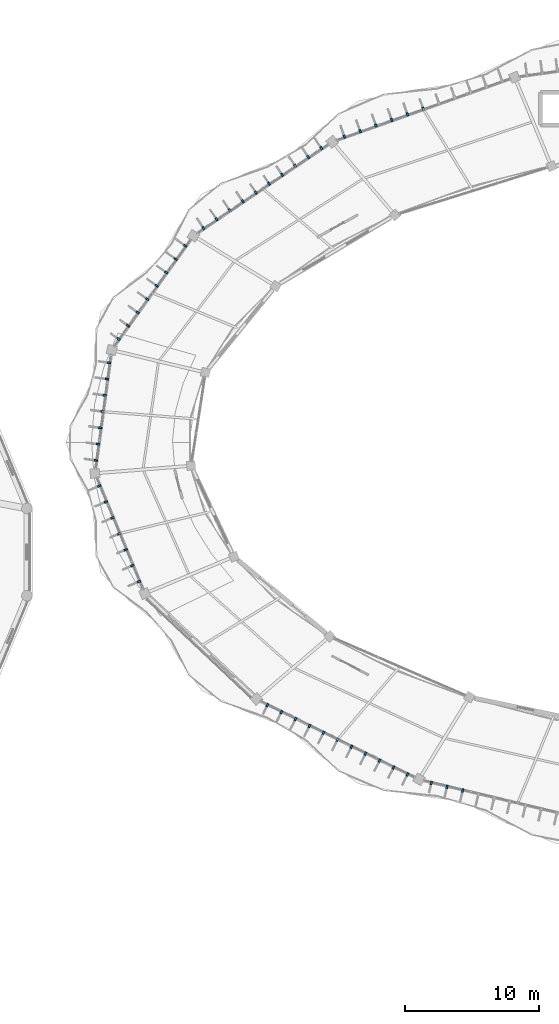
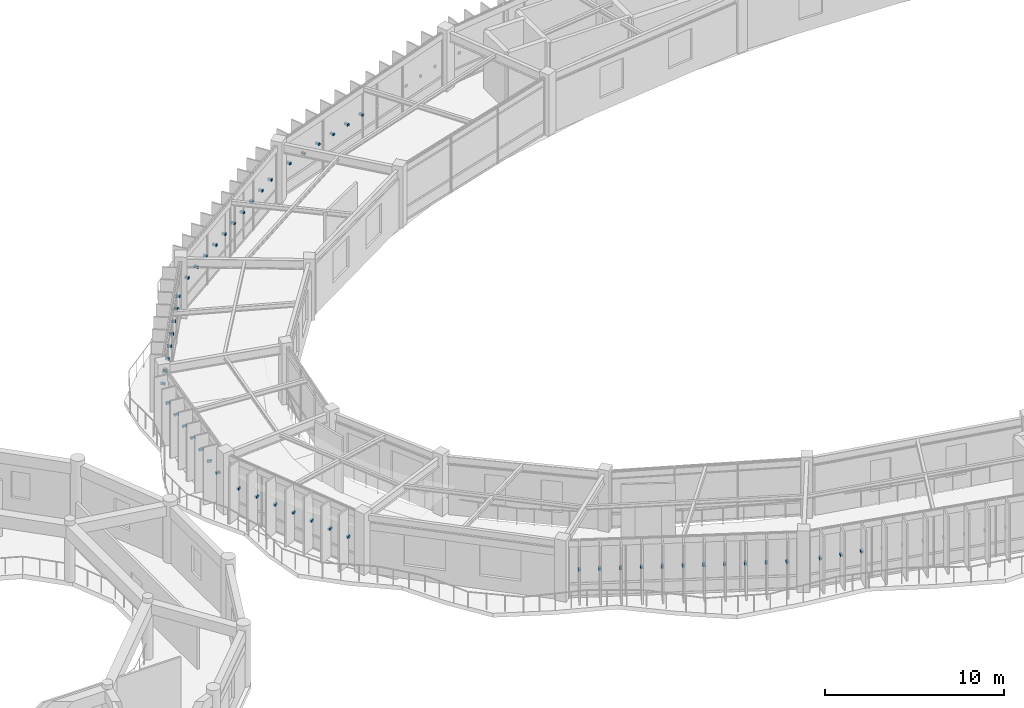
# One storey, part 123 of 138: 52 discrete accessories.
"""IFC4 building model written with IfcOpenShell, lengths in metres."""

import ifcopenshell
import ifcopenshell.guid

model = None  # the IFC model being written
_history = None  # IfcOwnerHistory: only IFC2X3 demands one
_inside = {}  # id of a spatial element -> (the spatial element, [elements in it])
_under = {}  # id of a project, library or spatial element -> (it, [spatial elements below it])
_declared = {}  # id of a project -> (the project, [libraries it declares])
_typed = {}  # id of a type object -> (the type object, [elements of that type])
_made_of = {}  # id of a material, layer set ... -> (it, [elements and type objects made of it])


def new_model(schema):
    """Start an empty IFC model of exactly this schema.

    Asked for "IFC4X3", IfcOpenShell would pick the latest addendum, in which some entities
    have other attributes; the version numbers below select the first issue.
    IFC2X3 requires an IfcOwnerHistory on every rooted entity: one is made here for all.
    """
    global model, _history
    if schema == "IFC4X3":
        model = ifcopenshell.file(schema_version=(4, 3, 0, 0))
    else:
        model = ifcopenshell.file(schema=schema)
    _inside.clear()
    _under.clear()
    _declared.clear()
    _typed.clear()
    _made_of.clear()
    _history = None
    if model.schema == "IFC2X3":
        org = make("IfcOrganization", Name="unknown")
        user = make(
            "IfcPersonAndOrganization",
            ThePerson=make("IfcPerson", FamilyName="unknown"),
            TheOrganization=org,
        )
        app = make(
            "IfcApplication",
            ApplicationDeveloper=org,
            Version="unknown",
            ApplicationFullName="unknown",
            ApplicationIdentifier="unknown",
        )
        _history = make(
            "IfcOwnerHistory",
            OwningUser=user,
            OwningApplication=app,
            ChangeAction="ADDED",
            CreationDate=0,
        )
    return model


def make(cls, **values):
    """One entity of the class cls with the attributes given. An attribute that is None is left unset."""
    return model.create_entity(
        cls, **{name: value for name, value in values.items() if value is not None}
    )


def rooted(cls, **values):
    """An entity with a GlobalId (a new one), such as an element, a storey or a relation."""
    return make(cls, GlobalId=ifcopenshell.guid.new(), OwnerHistory=_history, **values)


def si_unit(unit_type, name, prefix=None):
    """IfcSIUnit, for example si_unit("LENGTHUNIT", "METRE", prefix="MILLI")."""
    return make("IfcSIUnit", UnitType=unit_type, Prefix=prefix, Name=name)


def assignment(units):
    """IfcUnitAssignment: the units of a project."""
    return None if units is None else make("IfcUnitAssignment", Units=units)


def point(xyz):
    """IfcCartesianPoint."""
    return None if xyz is None else make("IfcCartesianPoint", Coordinates=xyz)


def direction(xyz):
    """IfcDirection."""
    return None if xyz is None else make("IfcDirection", DirectionRatios=xyz)


def frame(location, z_axis=None, x_axis=None):
    """IfcAxis2Placement3D, a coordinate frame: its origin and axes. An axis left out is left unset."""
    return make(
        "IfcAxis2Placement3D",
        Location=point(location),
        Axis=direction(z_axis),
        RefDirection=direction(x_axis),
    )


def frame_2d(location, x_axis=None):
    """IfcAxis2Placement2D, a coordinate frame in the plane: its origin and x axis."""
    return make(
        "IfcAxis2Placement2D", Location=point(location), RefDirection=direction(x_axis)
    )


def origin():
    """The frame at (0, 0, 0) with its axes left unset."""
    return frame((0.0, 0.0, 0.0))


def origin_2d():
    """The frame at (0, 0) in the plane with its x axis left unset."""
    return frame_2d((0.0, 0.0))


def place(relative_to, where):
    """IfcLocalPlacement: puts the frame where relative to a parent placement (None: the world)."""
    return make(
        "IfcLocalPlacement", PlacementRelTo=relative_to, RelativePlacement=where
    )


def context(
    kind, dimensions, precision=None, world=None, true_north=None, identifier=None
):
    """IfcGeometricRepresentationContext, for example the 3D "Model" context."""
    return make(
        "IfcGeometricRepresentationContext",
        ContextIdentifier=identifier,
        ContextType=kind,
        CoordinateSpaceDimension=dimensions,
        Precision=precision,
        WorldCoordinateSystem=world,
        TrueNorth=true_north,
    )


def subcontext(parent, identifier, kind, view, scale=None):
    """IfcGeometricRepresentationSubContext, for example "Body" below "Model"."""
    return make(
        "IfcGeometricRepresentationSubContext",
        ContextIdentifier=identifier,
        ContextType=kind,
        ParentContext=parent,
        TargetScale=scale,
        TargetView=view,
    )


def project(units=None, contexts=None):
    """IfcProject with its units and contexts."""
    return rooted(
        "IfcProject",
        Name="project",
        RepresentationContexts=contexts,
        UnitsInContext=assignment(units),
    )


def spatial(cls, under=None, at=None, **own):
    """A site, building, storey or space (cls), placed at a placement, below another one or the project."""
    s = rooted(cls, ObjectPlacement=at, **own)
    if under is not None:
        _under.setdefault(under.id(), (under, []))[1].append(s)
    return s


def profile(cls, at=None, kind="AREA", **sizes):
    """A parametric profile (cls). Its sizes go by their IFC names, for example OverallWidth=200.0."""
    return make(cls, ProfileType=kind, Position=at, **sizes)


def rectangle(**sizes):
    """IfcRectangleProfileDef."""
    return profile("IfcRectangleProfileDef", **sizes)


def extrude(swept, where, along, depth):
    """IfcExtrudedAreaSolid: the profile swept, set in the frame where, extruded along a direction by depth."""
    return make(
        "IfcExtrudedAreaSolid",
        SweptArea=swept,
        Position=where,
        ExtrudedDirection=direction(along),
        Depth=depth,
    )


def shape(context_of_items, identifier, shape_type, items):
    """IfcShapeRepresentation: the items that make up one representation, for example the "Body"."""
    return make(
        "IfcShapeRepresentation",
        ContextOfItems=context_of_items,
        RepresentationIdentifier=identifier,
        RepresentationType=shape_type,
        Items=items,
    )


def material(Name=None, Category=None):
    """IfcMaterial."""
    return make("IfcMaterial", Name=Name, Category=Category)


def made_of(thing, what):
    """Note that an element or type object is made of a material, layer set ...; save() writes the relation."""
    if what is not None:
        _made_of.setdefault(what.id(), (what, []))[1].append(thing)
    return thing


def type_object(cls, material=None, **own):
    """A type object (cls), such as IfcWallType, which elements share."""
    return made_of(rooted(cls, **own), material)


def element(
    cls,
    number,
    at=None,
    inside=None,
    cuts=None,
    type_object=None,
    material=None,
    context=None,
    identifier="Body",
    shape_type=None,
    held_by="IfcProductDefinitionShape",
    body=None,
    shapes=None,
    **own,
):
    """One element of the class cls, such as IfcWall. Its Tag is "e" and its number.

    at: its placement. inside: the storey or other place that contains it. cuts: it is an
    opening in that element (IfcRelVoidsElement). A single representation is given by context,
    identifier, shape_type and body (its items); several are given by shapes. held_by: the class
    of the entity that holds the representations. save() writes the other relations.
    """
    e = rooted(cls, Tag="e%d" % number, ObjectPlacement=at, **own)
    if body is not None:
        shapes = [shape(context, identifier, shape_type, body)]
    if shapes is not None:
        e.Representation = make(held_by, Representations=shapes)
    if inside is not None:
        _inside.setdefault(inside.id(), (inside, []))[1].append(e)
    if cuts is not None:
        rooted(
            "IfcRelVoidsElement", RelatingBuildingElement=cuts, RelatedOpeningElement=e
        )
    if type_object is not None:
        _typed.setdefault(type_object.id(), (type_object, []))[1].append(e)
    return made_of(e, material)


def aggregate(whole, parts):
    """IfcRelAggregates: a whole, such as a stair, and the parts it consists of."""
    return rooted("IfcRelAggregates", RelatingObject=whole, RelatedObjects=parts)


def save(model, path):
    """Write the relations noted so far, then the file.

    IfcRelAggregates (storeys below a building ...), IfcRelContainedInSpatialStructure (elements
    in a storey), IfcRelDefinesByType, IfcRelAssociatesMaterial and IfcRelDeclares: one each for
    every whole, place, type object, material and project.
    """
    for whole, parts in _under.values():
        aggregate(whole, parts)
    for where, things in _inside.values():
        rooted(
            "IfcRelContainedInSpatialStructure",
            RelatedElements=things,
            RelatingStructure=where,
        )
    for kind, things in _typed.values():
        rooted("IfcRelDefinesByType", RelatedObjects=things, RelatingType=kind)
    for what, things in _made_of.values():
        rooted("IfcRelAssociatesMaterial", RelatedObjects=things, RelatingMaterial=what)
    for by, libraries in _declared.values():
        rooted("IfcRelDeclares", RelatingContext=by, RelatedDefinitions=libraries)
    model.write(path)


model = new_model("IFC4")

# Units and contexts
model_context = context("Model", 3, precision=1e-05, world=origin(), true_north=direction((0.0, 1.0)))
body_context = subcontext(model_context, "Body", "Model", "MODEL_VIEW")
ifc_project = project(units=[si_unit("LENGTHUNIT", "METRE"), si_unit("AREAUNIT", "SQUARE_METRE"), si_unit("VOLUMEUNIT", "CUBIC_METRE"), si_unit("PLANEANGLEUNIT", "RADIAN"), si_unit("MASSUNIT", "GRAM", prefix="KILO"), si_unit("THERMODYNAMICTEMPERATUREUNIT", "KELVIN"), si_unit("POWERUNIT", "WATT")], contexts=[model_context])

# Site, building, storey
site_placement = place(None, origin())
site = spatial("IfcSite", under=ifc_project, at=site_placement, CompositionType="ELEMENT")
building_placement = place(site_placement, origin())
building = spatial("IfcBuilding", under=site, at=building_placement, Name="Darbajah Civic Hall", CompositionType="ELEMENT")
storey_placement = place(building_placement, frame((0.0, 0.0, 9.60009765625)))
storey = spatial("IfcBuildingStorey", under=building, at=storey_placement, Name="L02", CompositionType="ELEMENT", Elevation=9.60009765625)

# Discrete accessories
ifc_material = material(Name="Stainless Steel S355JR", Category="steel")
discrete_accessory_type = type_object("IfcDiscreteAccessoryType", Name="Stainless Facade Support Bracket", PredefinedType="BRACKET", material=ifc_material)
for number, where, z_axis, x_axis, name in (
    (1, (62.760498046875, 114.69970703125, 1.89013671875), (0.0, 0.0, 1.0), (-0.334135882844, 0.94252491309, 0.0), "L02 shading fin bracket 06-6"),
    (2, (61.583984375, 114.28271484375, 1.89013671875), (0.0, 0.0, 1.0), (-0.334135882844, 0.94252491309, 0.0), "L02 shading fin bracket 06-7"),
    (3, (60.40771484375, 113.86572265625, 1.89013671875), (0.0, 0.0, 1.0), (-0.334135882844, 0.94252491309, 0.0), "L02 shading fin bracket 06-8"),
    (4, (59.231201171875, 113.44873046875, 1.89013671875), (0.0, 0.0, 1.0), (-0.334135882844, 0.94252491309, 0.0), "L02 shading fin bracket 06-9"),
    (5, (58.0546875, 113.03173828125, 1.89013671875), (0.0, 0.0, 1.0), (-0.334135882844, 0.94252491309, 0.0), "L02 shading fin bracket 06-10"),
    (6, (56.878173828125, 112.61474609375, 1.89013671875), (0.0, 0.0, 1.0), (-0.334135882844, 0.94252491309, 0.0), "L02 shading fin bracket 06-11"),
    (7, (55.1640625, 111.753173828125, 1.89013671875), (0.0, 0.0, 1.0), (-0.560783509816, 0.827962472047, 0.0), "L02 shading fin bracket 07-1"),
    (8, (54.18603515625, 111.0908203125, 1.89013671875), (0.0, 0.0, 1.0), (-0.560783509816, 0.827962472047, 0.0), "L02 shading fin bracket 07-2"),
    (9, (53.2080078125, 110.428466796875, 1.89013671875), (0.0, 0.0, 1.0), (-0.560783509816, 0.827962472047, 0.0), "L02 shading fin bracket 07-3"),
    (10, (52.22998046875, 109.76611328125, 1.89013671875), (0.0, 0.0, 1.0), (-0.560783509816, 0.827962472047, 0.0), "L02 shading fin bracket 07-4"),
    (11, (51.252197265625, 109.103759765625, 1.89013671875), (0.0, 0.0, 1.0), (-0.560783509816, 0.827962472047, 0.0), "L02 shading fin bracket 07-5"),
    (12, (50.274169921875, 108.44140625, 1.89013671875), (0.0, 0.0, 1.0), (-0.560783509816, 0.827962472047, 0.0), "L02 shading fin bracket 07-6"),
    (13, (49.296142578125, 107.779052734375, 1.89013671875), (0.0, 0.0, 1.0), (-0.560783509816, 0.827962472047, 0.0), "L02 shading fin bracket 07-7"),
    (14, (48.318115234375, 107.11669921875, 1.89013671875), (0.0, 0.0, 1.0), (-0.560783509816, 0.827962472047, 0.0), "L02 shading fin bracket 07-8"),
    (15, (47.340087890625, 106.454345703125, 1.89013671875), (0.0, 0.0, 1.0), (-0.560783509816, 0.827962472047, 0.0), "L02 shading fin bracket 07-9"),
    (16, (46.362060546875, 105.7919921875, 1.89013671875), (0.0, 0.0, 1.0), (-0.560783509816, 0.827962472047, 0.0), "L02 shading fin bracket 07-10"),
    (17, (45.005615234375, 104.46533203125, 1.89013671875), (0.0, 0.0, 1.0), (-0.812999149039, 0.582264874145, 0.0), "L02 shading fin bracket 08-1"),
    (18, (44.293701171875, 103.470947265625, 1.89013671875), (0.0, 0.0, 1.0), (-0.812999149039, 0.582264874145, 0.0), "L02 shading fin bracket 08-2"),
    (19, (43.58154296875, 102.4765625, 1.89013671875), (0.0, 0.0, 1.0), (-0.812999149039, 0.582264874145, 0.0), "L02 shading fin bracket 08-3"),
    (20, (42.869384765625, 101.482421875, 1.89013671875), (0.0, 0.0, 1.0), (-0.812999149039, 0.582264874145, 0.0), "L02 shading fin bracket 08-4"),
    (21, (42.157470703125, 100.48779296875, 1.89013671875), (0.0, 0.0, 1.0), (-0.812999149039, 0.582264874145, 0.0), "L02 shading fin bracket 08-5"),
    (22, (41.4453125, 99.49365234375, 1.89013671875), (0.0, 0.0, 1.0), (-0.812999149039, 0.582264874145, 0.0), "L02 shading fin bracket 08-6"),
    (23, (40.7333984375, 98.499267578125, 1.89013671875), (0.0, 0.0, 1.0), (-0.812999149039, 0.582264874145, 0.0), "L02 shading fin bracket 08-7"),
    (24, (40.021240234375, 97.5048828125, 1.89013671875), (0.0, 0.0, 1.0), (-0.812999149039, 0.582264874145, 0.0), "L02 shading fin bracket 08-8"),
    (25, (39.319580078125, 95.738525390625, 1.89013671875), (0.0, 0.0, 1.0), (-0.990865897387, 0.134850930274, 0.0), "L02 shading fin bracket 09-1"),
    (26, (39.154296875, 94.523681640625, 1.89013671875), (0.0, 0.0, 1.0), (-0.990865897387, 0.134850930274, 0.0), "L02 shading fin bracket 09-2"),
    (27, (38.989013671875, 93.308837890625, 1.89013671875), (0.0, 0.0, 1.0), (-0.990865897387, 0.134850930274, 0.0), "L02 shading fin bracket 09-3"),
    (28, (38.82373046875, 92.093994140625, 1.89013671875), (0.0, 0.0, 1.0), (-0.990865897387, 0.134850930274, 0.0), "L02 shading fin bracket 09-4"),
    (29, (38.658447265625, 90.87939453125, 1.89013671875), (0.0, 0.0, 1.0), (-0.990865897387, 0.134850930274, 0.0), "L02 shading fin bracket 09-5"),
    (30, (38.4931640625, 89.66455078125, 1.89013671875), (0.0, 0.0, 1.0), (-0.990865897387, 0.134850930274, 0.0), "L02 shading fin bracket 09-6"),
    (31, (38.327880859375, 88.44970703125, 1.89013671875), (0.0, 0.0, 1.0), (-0.990865897387, 0.134850930274, 0.0), "L02 shading fin bracket 09-7"),
    (32, (38.58349609375, 86.542724609375, 1.89013671875), (0.0, 0.0, 1.0), (-0.923612143954, -0.383328328644, 0.0), "L02 shading fin bracket 10-1"),
    (33, (39.0771484375, 85.353515625, 1.89013671875), (0.0, 0.0, 1.0), (-0.923612143954, -0.383328328644, 0.0), "L02 shading fin bracket 10-2"),
    (34, (39.570556640625, 84.164306640625, 1.89013671875), (0.0, 0.0, 1.0), (-0.923612143954, -0.383328328644, 0.0), "L02 shading fin bracket 10-3"),
    (35, (40.064208984375, 82.97509765625, 1.89013671875), (0.0, 0.0, 1.0), (-0.923612143954, -0.383328328644, 0.0), "L02 shading fin bracket 10-4"),
    (36, (40.557861328125, 81.785888671875, 1.89013671875), (0.0, 0.0, 1.0), (-0.923612143954, -0.383328328644, 0.0), "L02 shading fin bracket 10-5"),
    (37, (41.051513671875, 80.5966796875, 1.89013671875), (0.0, 0.0, 1.0), (-0.923612143954, -0.383328328644, 0.0), "L02 shading fin bracket 10-6"),
    (38, (41.544921875, 79.407470703125, 1.89013671875), (0.0, 0.0, 1.0), (-0.923612143954, -0.383328328644, 0.0), "L02 shading fin bracket 10-7"),
    (39, (51.131103515625, 70.17333984375, 1.89013671875), (0.0, 0.0, 1.0), (-0.442914717678, -0.89656374724, 0.0), "L02 shading fin bracket 12-1"),
    (40, (52.1767578125, 69.65673828125, 1.89013671875), (0.0, 0.0, 1.0), (-0.442914717678, -0.89656374724, 0.0), "L02 shading fin bracket 12-2"),
    (41, (53.222412109375, 69.14013671875, 1.89013671875), (0.0, 0.0, 1.0), (-0.442914717678, -0.89656374724, 0.0), "L02 shading fin bracket 12-3"),
    (42, (54.26806640625, 68.62353515625, 1.89013671875), (0.0, 0.0, 1.0), (-0.442914717678, -0.89656374724, 0.0), "L02 shading fin bracket 12-4"),
    (43, (55.313720703125, 68.10693359375, 1.89013671875), (0.0, 0.0, 1.0), (-0.442914717678, -0.89656374724, 0.0), "L02 shading fin bracket 12-5"),
    (44, (56.359375, 67.59033203125, 1.89013671875), (0.0, 0.0, 1.0), (-0.442914717678, -0.89656374724, 0.0), "L02 shading fin bracket 12-6"),
    (45, (57.405029296875, 67.07373046875, 1.89013671875), (0.0, 0.0, 1.0), (-0.442914717678, -0.89656374724, 0.0), "L02 shading fin bracket 12-7"),
    (46, (58.45068359375, 66.55712890625, 1.89013671875), (0.0, 0.0, 1.0), (-0.442914717678, -0.89656374724, 0.0), "L02 shading fin bracket 12-8"),
    (47, (59.496337890625, 66.040771484375, 1.89013671875), (0.0, 0.0, 1.0), (-0.442914717678, -0.89656374724, 0.0), "L02 shading fin bracket 12-9"),
    (48, (60.5419921875, 65.524169921875, 1.89013671875), (0.0, 0.0, 1.0), (-0.442914717678, -0.89656374724, 0.0), "L02 shading fin bracket 12-10"),
    (49, (61.587646484375, 65.007568359375, 1.89013671875), (0.0, 0.0, 1.0), (-0.442914717678, -0.89656374724, 0.0), "L02 shading fin bracket 12-11"),
    (50, (63.36669921875, 64.366455078125, 1.89013671875), (0.0, 0.0, 1.0), (-0.232936200179, -0.972492018808, 0.0), "L02 shading fin bracket 13-1"),
    (51, (64.5380859375, 64.085693359375, 1.89013671875), (0.0, 0.0, 1.0), (-0.232936200179, -0.972492018808, 0.0), "L02 shading fin bracket 13-2"),
    (52, (65.70947265625, 63.80517578125, 1.89013671875), (0.0, 0.0, 1.0), (-0.232936200179, -0.972492018808, 0.0), "L02 shading fin bracket 13-3"),
):
    element("IfcDiscreteAccessory", number, at=place(storey_placement, frame(where, z_axis=z_axis, x_axis=x_axis)), inside=storey, type_object=discrete_accessory_type, Name=name, PredefinedType="BRACKET", context=body_context, shape_type="SweptSolid", body=[
        extrude(rectangle(XDim=0.260009765625, YDim=0.139892578125, at=origin_2d()), origin(), (0.0, 0.0, 1.0), 0.139892578125),
    ])

save(model, "model.ifc")
